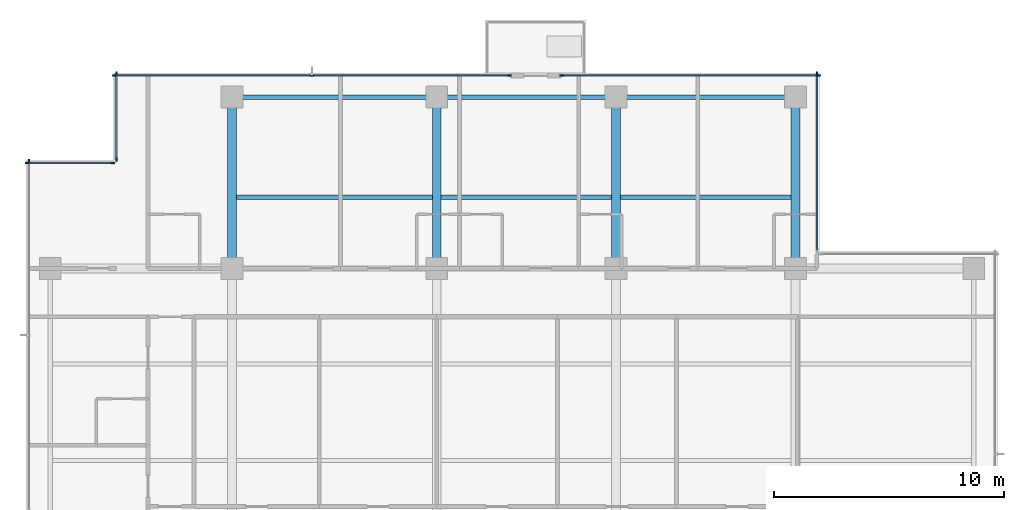
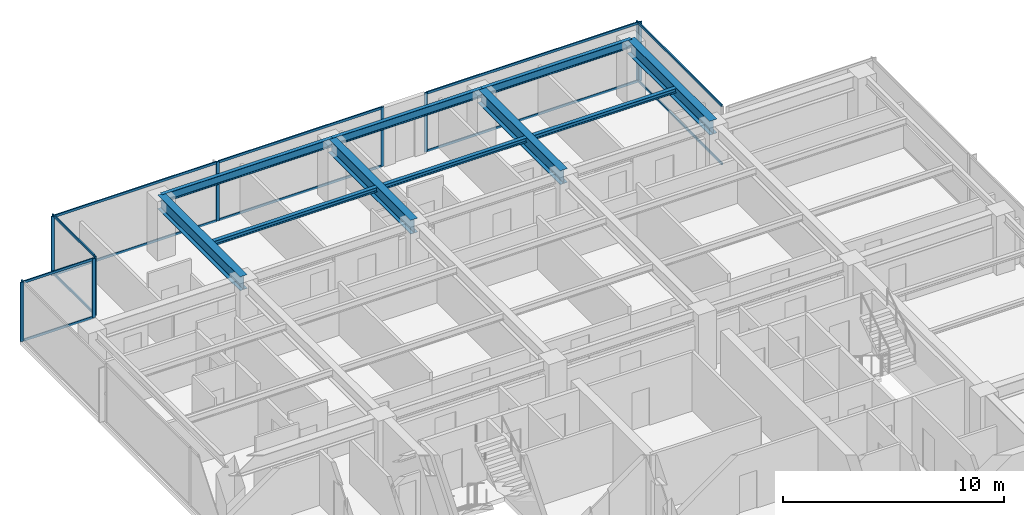
# One storey, part 5 of 15: 23 members, 10 beams, 6 elements without a shape of their own.
"""IFC4 building model written with IfcOpenShell, lengths in metres."""

from ifc_helpers import new_model, si_unit, direction, frame, origin, origin_2d, place, context, subcontext, project, spatial, rectangle, i_section, extrude, material, layer, layer_set, material_profile, profile_set, type_object, element, aggregate, save


model = new_model("IFC4")

# Units and contexts
model_context = context("Model", 3, precision=1e-05, world=origin(), true_north=direction((0.0, 1.0)))
body_context = subcontext(model_context, "Body", "Model", "MODEL_VIEW")
ifc_project = project(units=[si_unit("LENGTHUNIT", "METRE"), si_unit("AREAUNIT", "SQUARE_METRE"), si_unit("VOLUMEUNIT", "CUBIC_METRE"), si_unit("PLANEANGLEUNIT", "RADIAN"), si_unit("MASSUNIT", "GRAM", prefix="KILO")], contexts=[model_context])

# Site, building, storey
site_placement = place(None, origin())
site = spatial("IfcSite", under=ifc_project, at=site_placement, CompositionType="ELEMENT")
building_placement = place(site_placement, origin())
building = spatial("IfcBuilding", under=site, at=building_placement, Name="Qalmaran Belvedere Hotel", CompositionType="ELEMENT")
storey_placement = place(building_placement, frame((0.0, 0.0, 203.89990234375)))
storey = spatial("IfcBuildingStorey", under=building, at=storey_placement, Name="L51", CompositionType="ELEMENT", Elevation=203.89990234375)

# Beams
ifc_material_1 = material(Name="Steel S355JR", Category="steel")
ifc_material_profile_1 = material_profile(ifc_material_1, i_section(OverallWidth=0.201904296875, OverallDepth=0.2470703125, WebThickness=0.00732421875, FlangeThickness=0.010986328125, FilletRadius=0.011962890625, at=origin_2d()), Name="W250X49")
ifc_profile_set_1 = profile_set([ifc_material_profile_1], Name="Steel S355JR")
beam_type_1 = type_object("IfcBeamType", Name="BM-JST-W250X49", PredefinedType="JOIST", material=ifc_profile_set_1)
beam_1_placement = place(storey_placement, frame((20.488525390625, 36.10009765625, 3.13671875), z_axis=(1.0, 0.0, 0.0), x_axis=(0.0, 1.0, 0.0)))
element("IfcBeam", 1, at=beam_1_placement, inside=storey, type_object=beam_type_1, Name="L51 North Floor Joist 042", PredefinedType="JOIST", context=body_context, shape_type="SweptSolid", body=[
    extrude(i_section(OverallWidth=0.201904296875, OverallDepth=0.2470703125, WebThickness=0.00732421875, FlangeThickness=0.010986328125, FilletRadius=0.011962890625, at=origin_2d()), origin(), (0.0, 0.0, 1.0), 8.52294921875),
])
for number, where, z_axis, x_axis, name in (
    (2, (29.388427734375, 36.10009765625, 3.13671875), (1.0, 0.0, 0.0), (0.0, 1.0, 0.0), "L51 North Floor Joist 043"),
    (3, (37.1884765625, 36.10009765625, 3.13671875), (1.0, 0.0, 0.0), (0.0, 1.0, 0.0), "L51 North Floor Joist 044"),
):
    element("IfcBeam", number, at=place(storey_placement, frame(where, z_axis=z_axis, x_axis=x_axis)), inside=storey, type_object=beam_type_1, Name=name, PredefinedType="JOIST", context=body_context, shape_type="SweptSolid", body=[
        extrude(i_section(OverallWidth=0.201904296875, OverallDepth=0.2470703125, WebThickness=0.00732421875, FlangeThickness=0.010986328125, FilletRadius=0.011962890625, at=origin_2d()), origin(), (0.0, 0.0, 1.0), 7.423095703125),
    ])
ifc_material_profile_2 = material_profile(ifc_material_1, i_section(OverallWidth=0.381103515625, OverallDepth=0.77294921875, WebThickness=0.0166015625, FlangeThickness=0.027099609375, FilletRadius=0.02197265625, at=origin_2d()), Name="W760X257")
ifc_profile_set_2 = profile_set([ifc_material_profile_2], Name="Steel S355JR")
beam_type_2 = type_object("IfcBeamType", Name="BM-PG4-W760X257", PredefinedType="USERDEFINED", material=ifc_profile_set_2)
for number, where, z_axis, x_axis, name in (
    (4, (20.300048828125, 33.0, 2.87353515625), (0.0, 1.0, 0.0), (-1.0, 0.0, 0.0), "L51 North Bay Girder 15"),
    (5, (29.199951171875, 33.0, 2.87353515625), (0.0, 1.0, 0.0), (-1.0, 0.0, 0.0), "L51 North Bay Girder 17"),
    (6, (37.0, 33.0, 2.87353515625), (0.0, 1.0, 0.0), (-1.0, 0.0, 0.0), "L51 North Bay Girder 19"),
    (7, (44.800048828125, 33.0, 2.87353515625), (0.0, 1.0, 0.0), (-1.0, 0.0, 0.0), "L51 North Bay Girder 21"),
):
    element("IfcBeam", number, at=place(storey_placement, frame(where, z_axis=z_axis, x_axis=x_axis)), inside=storey, type_object=beam_type_2, Name=name, ObjectType="GIRDER", PredefinedType="USERDEFINED", context=body_context, shape_type="SweptSolid", body=[
        extrude(i_section(OverallWidth=0.381103515625, OverallDepth=0.77294921875, WebThickness=0.0166015625, FlangeThickness=0.027099609375, FilletRadius=0.02197265625, at=origin_2d()), origin(), (0.0, 0.0, 1.0), 7.449951171875),
    ])
ifc_material_profile_3 = material_profile(ifc_material_1, i_section(OverallWidth=0.19189453125, OverallDepth=0.462890625, WebThickness=0.010498046875, FlangeThickness=0.017578125, FilletRadius=0.01611328125, at=origin_2d()), Name="W460X89")
ifc_profile_set_3 = profile_set([ifc_material_profile_3], Name="Steel S355JR")
beam_type_3 = type_object("IfcBeamType", Name="BM-SP2-W460X89", PredefinedType="SPANDREL", material=ifc_profile_set_3)
beam_2_placement = place(storey_placement, frame((20.300048828125, 40.449951171875, 3.028564453125), z_axis=(1.0, 0.0, 0.0), x_axis=(0.0, 1.0, 0.0)))
element("IfcBeam", 8, at=beam_2_placement, inside=storey, type_object=beam_type_3, Name="L51 Perimeter Spandrel 05", PredefinedType="SPANDREL", context=body_context, shape_type="SweptSolid", body=[
    extrude(i_section(OverallWidth=0.19189453125, OverallDepth=0.462890625, WebThickness=0.010498046875, FlangeThickness=0.017578125, FilletRadius=0.01611328125, at=origin_2d()), origin(), (0.0, 0.0, 1.0), 8.89990234375),
])
for number, where, z_axis, x_axis, name in (
    (9, (29.199951171875, 40.449951171875, 3.028564453125), (1.0, 0.0, 0.0), (0.0, 1.0, 0.0), "L51 Perimeter Spandrel 06"),
    (10, (37.0, 40.449951171875, 3.028564453125), (1.0, 0.0, 0.0), (0.0, 1.0, 0.0), "L51 Perimeter Spandrel 07"),
):
    element("IfcBeam", number, at=place(storey_placement, frame(where, z_axis=z_axis, x_axis=x_axis)), inside=storey, type_object=beam_type_3, Name=name, PredefinedType="SPANDREL", context=body_context, shape_type="SweptSolid", body=[
        extrude(i_section(OverallWidth=0.19189453125, OverallDepth=0.462890625, WebThickness=0.010498046875, FlangeThickness=0.017578125, FilletRadius=0.01611328125, at=origin_2d()), origin(), (0.0, 0.0, 1.0), 7.800048828125),
    ])

# Curtain wall, member
ifc_material_2 = material(Name="Anodised Bronze Aluminium", Category="aluminium")
ifc_layer = layer(ifc_material_2, 0.18994140625, Name="Anodised Bronze Aluminium")
ifc_layer_set = layer_set([ifc_layer], Name="Anodised Bronze Aluminium")
curtain_wall_type = type_object("IfcCurtainWallType", Name="CW5-TOWER-UPPER", PredefinedType="NOTDEFINED", material=ifc_layer_set)
curtain_wall_1_placement = place(storey_placement, origin())
curtain_wall_1 = element("IfcCurtainWall", 11, at=curtain_wall_1_placement, inside=storey, type_object=curtain_wall_type, Name="L51 Curtain Wall CW5", PredefinedType="NOTDEFINED")
ifc_material_profile_4 = material_profile(ifc_material_2, rectangle(XDim=0.06494140625, YDim=0.1650390625, at=origin_2d()), Name="CWM65X165")
ifc_profile_set_4 = profile_set([ifc_material_profile_4], Name="Anodised Bronze Aluminium")
member_type_1 = type_object("IfcMemberType", Name="CWM-65X165", PredefinedType="MULLION", material=ifc_profile_set_4)
member_1_placement = place(storey_placement, frame((45.72998046875, 41.467529296875, 0.0), z_axis=(0.0, 0.0, 1.0), x_axis=(-1.0, 0.0, 0.0)))
member_1 = element("IfcMember", 12, at=member_1_placement, type_object=member_type_1, Name="CW5 mullion 2", PredefinedType="MULLION", context=body_context, shape_type="SweptSolid", body=[
    extrude(rectangle(XDim=0.06494140625, YDim=0.1650390625, at=origin_2d()), origin(), (0.0, 0.0, 1.0), 3.260009765625),
])

# Curtain wall, members
curtain_wall_2_placement = place(storey_placement, origin())
curtain_wall_2 = element("IfcCurtainWall", 13, at=curtain_wall_2_placement, inside=storey, type_object=curtain_wall_type, Name="L51 Curtain Wall CW5", PredefinedType="NOTDEFINED")
member_2_placement = place(storey_placement, frame((32.367431640625, 41.3798828125, 0.0), z_axis=(0.0, 0.0, 1.0), x_axis=(0.0, -1.0, 0.0)))
member_2 = element("IfcMember", 14, at=member_2_placement, type_object=member_type_1, Name="CW5 mullion 1", PredefinedType="MULLION", context=body_context, shape_type="SweptSolid", body=[
    extrude(rectangle(XDim=0.06494140625, YDim=0.1650390625, at=origin_2d()), origin(), (0.0, 0.0, 1.0), 3.260009765625),
])
member_3_placement = place(storey_placement, frame((23.77490234375, 41.3798828125, 0.0), z_axis=(0.0, 0.0, 1.0), x_axis=(0.0, -1.0, 0.0)))
member_3 = element("IfcMember", 15, at=member_3_placement, type_object=member_type_1, Name="CW5 mullion 2", PredefinedType="MULLION", context=body_context, shape_type="SweptSolid", body=[
    extrude(rectangle(XDim=0.06494140625, YDim=0.1650390625, at=origin_2d()), origin(), (0.0, 0.0, 1.0), 3.260009765625),
])
member_4_placement = place(storey_placement, frame((15.1826171875, 41.3798828125, 0.0), z_axis=(0.0, 0.0, 1.0), x_axis=(0.0, -1.0, 0.0)))
member_4 = element("IfcMember", 16, at=member_4_placement, type_object=member_type_1, Name="CW5 mullion 3", PredefinedType="MULLION", context=body_context, shape_type="SweptSolid", body=[
    extrude(rectangle(XDim=0.06494140625, YDim=0.1650390625, at=origin_2d()), origin(), (0.0, 0.0, 1.0), 3.260009765625),
])

curtain_wall_3_placement = place(storey_placement, origin())
curtain_wall_3 = element("IfcCurtainWall", 17, at=curtain_wall_3_placement, inside=storey, type_object=curtain_wall_type, Name="L51 Curtain Wall CW5", PredefinedType="NOTDEFINED")
member_5_placement = place(storey_placement, frame((45.8173828125, 41.3798828125, 0.0), z_axis=(0.0, 0.0, 1.0), x_axis=(0.0, -1.0, 0.0)))
member_5 = element("IfcMember", 18, at=member_5_placement, type_object=member_type_1, Name="CW5 mullion 1", PredefinedType="MULLION", context=body_context, shape_type="SweptSolid", body=[
    extrude(rectangle(XDim=0.06494140625, YDim=0.1650390625, at=origin_2d()), origin(), (0.0, 0.0, 1.0), 3.260009765625),
])
member_6_placement = place(storey_placement, frame((34.632568359375, 41.3798828125, 0.0), z_axis=(0.0, 0.0, 1.0), x_axis=(0.0, -1.0, 0.0)))
member_6 = element("IfcMember", 19, at=member_6_placement, type_object=member_type_1, Name="CW5 mullion 2", PredefinedType="MULLION", context=body_context, shape_type="SweptSolid", body=[
    extrude(rectangle(XDim=0.06494140625, YDim=0.1650390625, at=origin_2d()), origin(), (0.0, 0.0, 1.0), 3.260009765625),
])

curtain_wall_4_placement = place(storey_placement, origin())
curtain_wall_4 = element("IfcCurtainWall", 20, at=curtain_wall_4_placement, inside=storey, type_object=curtain_wall_type, Name="L51 Curtain Wall CW5", PredefinedType="NOTDEFINED")
member_7_placement = place(storey_placement, frame((15.27001953125, 41.467529296875, 0.0), z_axis=(0.0, 0.0, 1.0), x_axis=(1.0, 0.0, 0.0)))
member_7 = element("IfcMember", 21, at=member_7_placement, type_object=member_type_1, Name="CW5 mullion 1", PredefinedType="MULLION", context=body_context, shape_type="SweptSolid", body=[
    extrude(rectangle(XDim=0.06494140625, YDim=0.1650390625, at=origin_2d()), origin(), (0.0, 0.0, 1.0), 3.260009765625),
])
member_8_placement = place(storey_placement, frame((15.27001953125, 37.732421875, 0.0), z_axis=(0.0, 0.0, 1.0), x_axis=(1.0, 0.0, 0.0)))
member_8 = element("IfcMember", 22, at=member_8_placement, type_object=member_type_1, Name="CW5 mullion 2", PredefinedType="MULLION", context=body_context, shape_type="SweptSolid", body=[
    extrude(rectangle(XDim=0.06494140625, YDim=0.1650390625, at=origin_2d()), origin(), (0.0, 0.0, 1.0), 3.260009765625),
])

curtain_wall_5_placement = place(storey_placement, origin())
curtain_wall_5 = element("IfcCurtainWall", 23, at=curtain_wall_5_placement, inside=storey, type_object=curtain_wall_type, Name="L51 Curtain Wall CW5", PredefinedType="NOTDEFINED")
member_9_placement = place(storey_placement, frame((15.117431640625, 37.580078125, 0.0), z_axis=(0.0, 0.0, 1.0), x_axis=(0.0, -1.0, 0.0)))
member_9 = element("IfcMember", 24, at=member_9_placement, type_object=member_type_1, Name="CW5 mullion 1", PredefinedType="MULLION", context=body_context, shape_type="SweptSolid", body=[
    extrude(rectangle(XDim=0.06494140625, YDim=0.1650390625, at=origin_2d()), origin(), (0.0, 0.0, 1.0), 3.260009765625),
])
member_10_placement = place(storey_placement, frame((11.382568359375, 37.580078125, 0.0), z_axis=(0.0, 0.0, 1.0), x_axis=(0.0, -1.0, 0.0)))
member_10 = element("IfcMember", 25, at=member_10_placement, type_object=member_type_1, Name="CW5 mullion 2", PredefinedType="MULLION", context=body_context, shape_type="SweptSolid", body=[
    extrude(rectangle(XDim=0.06494140625, YDim=0.1650390625, at=origin_2d()), origin(), (0.0, 0.0, 1.0), 3.260009765625),
])

# Curtain wall, member
curtain_wall_6_placement = place(storey_placement, origin())
curtain_wall_6 = element("IfcCurtainWall", 26, at=curtain_wall_6_placement, inside=storey, type_object=curtain_wall_type, Name="L51 Curtain Wall CW5", PredefinedType="NOTDEFINED")
member_11_placement = place(storey_placement, frame((11.469970703125, 37.66748046875, 0.0), z_axis=(0.0, 0.0, 1.0), x_axis=(1.0, 0.0, 0.0)))
member_11 = element("IfcMember", 27, at=member_11_placement, type_object=member_type_1, Name="CW5 mullion 1", PredefinedType="MULLION", context=body_context, shape_type="SweptSolid", body=[
    extrude(rectangle(XDim=0.06494140625, YDim=0.1650390625, at=origin_2d()), origin(), (0.0, 0.0, 1.0), 3.260009765625),
])
aggregate(curtain_wall_6, [member_11])

# Member
ifc_material_profile_5 = material_profile(ifc_material_2, rectangle(XDim=0.06494140625, YDim=0.1298828125, at=origin_2d()), Name="CWT65X130")
ifc_profile_set_5 = profile_set([ifc_material_profile_5], Name="Anodised Bronze Aluminium")
member_type_2 = type_object("IfcMemberType", Name="CWT-65X130", PredefinedType="USERDEFINED", material=ifc_profile_set_5)
member_12_placement = place(storey_placement, frame((45.72998046875, 33.81494140625, 0.03271484375), z_axis=(0.0, 1.0, 0.0), x_axis=(-1.0, 0.0, 0.0)))
member_12 = element("IfcMember", 28, at=member_12_placement, type_object=member_type_2, Name="CW5 transom 1.1", ObjectType="TRANSOM", PredefinedType="USERDEFINED", context=body_context, shape_type="SweptSolid", body=[
    extrude(rectangle(XDim=0.06494140625, YDim=0.1298828125, at=origin_2d()), origin(), (0.0, 0.0, 1.0), 7.6201171875),
])

member_13_placement = place(storey_placement, frame((45.72998046875, 33.81494140625, 3.2275390625), z_axis=(0.0, 1.0, 0.0), x_axis=(-1.0, 0.0, 0.0)))
member_13 = element("IfcMember", 29, at=member_13_placement, type_object=member_type_2, Name="CW5 transom 1.2", ObjectType="TRANSOM", PredefinedType="USERDEFINED", context=body_context, shape_type="SweptSolid", body=[
    extrude(rectangle(XDim=0.06494140625, YDim=0.1298828125, at=origin_2d()), origin(), (0.0, 0.0, 1.0), 7.6201171875),
])

aggregate(curtain_wall_1, [member_1, member_12, member_13])

member_14_placement = place(storey_placement, frame((32.3349609375, 41.3798828125, 0.03271484375), z_axis=(-1.0, 0.0, 0.0), x_axis=(0.0, -1.0, 0.0)))
member_14 = element("IfcMember", 30, at=member_14_placement, type_object=member_type_2, Name="CW5 transom 1.1", ObjectType="TRANSOM", PredefinedType="USERDEFINED", context=body_context, shape_type="SweptSolid", body=[
    extrude(rectangle(XDim=0.06494140625, YDim=0.1298828125, at=origin_2d()), origin(), (0.0, 0.0, 1.0), 8.52734375),
])

member_15_placement = place(storey_placement, frame((32.3349609375, 41.3798828125, 3.2275390625), z_axis=(-1.0, 0.0, 0.0), x_axis=(0.0, -1.0, 0.0)))
member_15 = element("IfcMember", 31, at=member_15_placement, type_object=member_type_2, Name="CW5 transom 1.2", ObjectType="TRANSOM", PredefinedType="USERDEFINED", context=body_context, shape_type="SweptSolid", body=[
    extrude(rectangle(XDim=0.06494140625, YDim=0.1298828125, at=origin_2d()), origin(), (0.0, 0.0, 1.0), 8.52734375),
])

member_16_placement = place(storey_placement, frame((23.742431640625, 41.3798828125, 0.03271484375), z_axis=(-1.0, 0.0, 0.0), x_axis=(0.0, -1.0, 0.0)))
member_16 = element("IfcMember", 32, at=member_16_placement, type_object=member_type_2, Name="CW5 transom 2.1", ObjectType="TRANSOM", PredefinedType="USERDEFINED", context=body_context, shape_type="SweptSolid", body=[
    extrude(rectangle(XDim=0.06494140625, YDim=0.1298828125, at=origin_2d()), origin(), (0.0, 0.0, 1.0), 8.52734375),
])

member_17_placement = place(storey_placement, frame((23.742431640625, 41.3798828125, 3.2275390625), z_axis=(-1.0, 0.0, 0.0), x_axis=(0.0, -1.0, 0.0)))
member_17 = element("IfcMember", 33, at=member_17_placement, type_object=member_type_2, Name="CW5 transom 2.2", ObjectType="TRANSOM", PredefinedType="USERDEFINED", context=body_context, shape_type="SweptSolid", body=[
    extrude(rectangle(XDim=0.06494140625, YDim=0.1298828125, at=origin_2d()), origin(), (0.0, 0.0, 1.0), 8.52734375),
])

aggregate(curtain_wall_2, [member_2, member_3, member_4, member_14, member_15, member_16, member_17])

member_18_placement = place(storey_placement, frame((45.784912109375, 41.3798828125, 0.03271484375), z_axis=(-1.0, 0.0, 0.0), x_axis=(0.0, -1.0, 0.0)))
member_18 = element("IfcMember", 34, at=member_18_placement, type_object=member_type_2, Name="CW5 transom 1.1", ObjectType="TRANSOM", PredefinedType="USERDEFINED", context=body_context, shape_type="SweptSolid", body=[
    extrude(rectangle(XDim=0.06494140625, YDim=0.1298828125, at=origin_2d()), origin(), (0.0, 0.0, 1.0), 11.119873046875),
])

member_19_placement = place(storey_placement, frame((45.784912109375, 41.3798828125, 3.2275390625), z_axis=(-1.0, 0.0, 0.0), x_axis=(0.0, -1.0, 0.0)))
member_19 = element("IfcMember", 35, at=member_19_placement, type_object=member_type_2, Name="CW5 transom 1.2", ObjectType="TRANSOM", PredefinedType="USERDEFINED", context=body_context, shape_type="SweptSolid", body=[
    extrude(rectangle(XDim=0.06494140625, YDim=0.1298828125, at=origin_2d()), origin(), (0.0, 0.0, 1.0), 11.119873046875),
])

aggregate(curtain_wall_3, [member_5, member_6, member_18, member_19])

member_20_placement = place(storey_placement, frame((15.27001953125, 41.43505859375, 0.03271484375), z_axis=(0.0, -1.0, 0.0), x_axis=(1.0, 0.0, 0.0)))
member_20 = element("IfcMember", 36, at=member_20_placement, type_object=member_type_2, Name="CW5 transom 1.1", ObjectType="TRANSOM", PredefinedType="USERDEFINED", context=body_context, shape_type="SweptSolid", body=[
    extrude(rectangle(XDim=0.06494140625, YDim=0.1298828125, at=origin_2d()), origin(), (0.0, 0.0, 1.0), 3.670166015625),
])

member_21_placement = place(storey_placement, frame((15.27001953125, 41.43505859375, 3.2275390625), z_axis=(0.0, -1.0, 0.0), x_axis=(1.0, 0.0, 0.0)))
member_21 = element("IfcMember", 37, at=member_21_placement, type_object=member_type_2, Name="CW5 transom 1.2", ObjectType="TRANSOM", PredefinedType="USERDEFINED", context=body_context, shape_type="SweptSolid", body=[
    extrude(rectangle(XDim=0.06494140625, YDim=0.1298828125, at=origin_2d()), origin(), (0.0, 0.0, 1.0), 3.670166015625),
])

aggregate(curtain_wall_4, [member_7, member_8, member_20, member_21])

member_22_placement = place(storey_placement, frame((15.0849609375, 37.580078125, 0.03271484375), z_axis=(-1.0, 0.0, 0.0), x_axis=(0.0, -1.0, 0.0)))
member_22 = element("IfcMember", 38, at=member_22_placement, type_object=member_type_2, Name="CW5 transom 1.1", ObjectType="TRANSOM", PredefinedType="USERDEFINED", context=body_context, shape_type="SweptSolid", body=[
    extrude(rectangle(XDim=0.06494140625, YDim=0.1298828125, at=origin_2d()), origin(), (0.0, 0.0, 1.0), 3.669921875),
])

member_23_placement = place(storey_placement, frame((15.0849609375, 37.580078125, 3.2275390625), z_axis=(-1.0, 0.0, 0.0), x_axis=(0.0, -1.0, 0.0)))
member_23 = element("IfcMember", 39, at=member_23_placement, type_object=member_type_2, Name="CW5 transom 1.2", ObjectType="TRANSOM", PredefinedType="USERDEFINED", context=body_context, shape_type="SweptSolid", body=[
    extrude(rectangle(XDim=0.06494140625, YDim=0.1298828125, at=origin_2d()), origin(), (0.0, 0.0, 1.0), 3.669921875),
])

aggregate(curtain_wall_5, [member_9, member_10, member_22, member_23])

save(model, "model.ifc")
